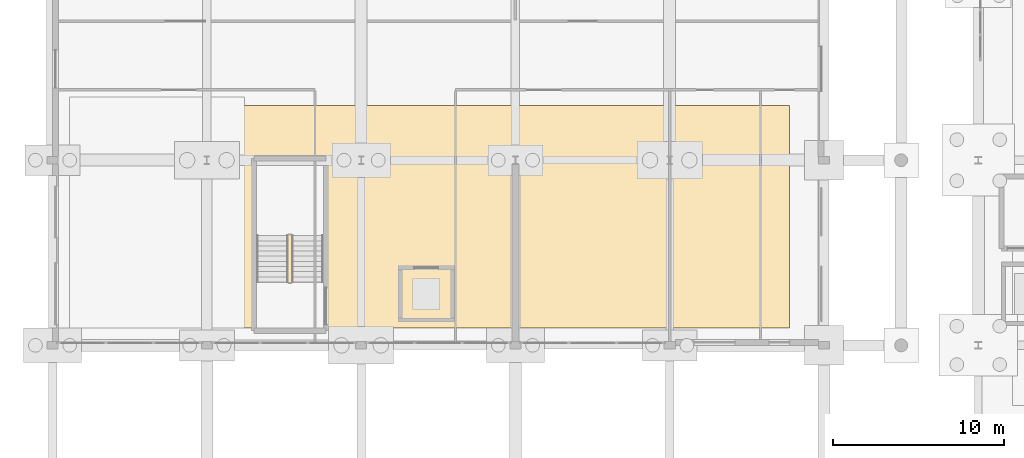
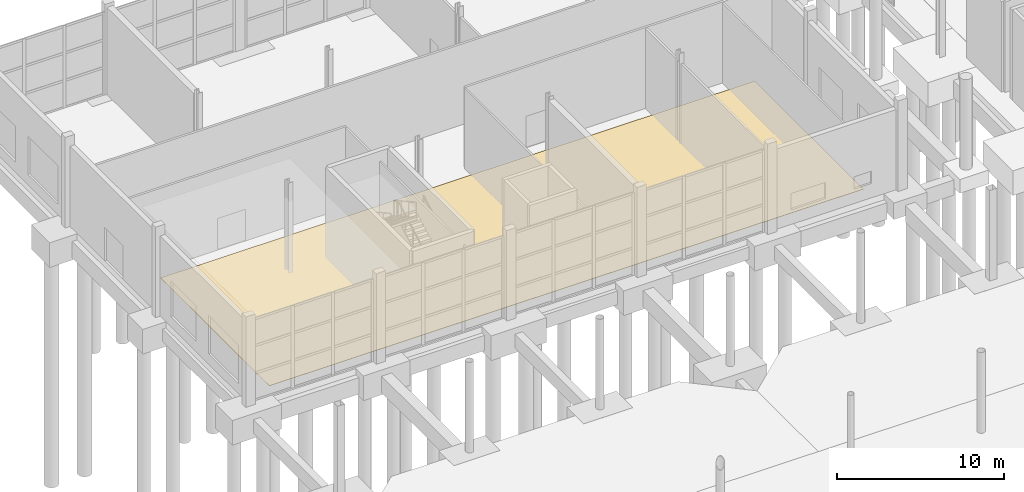
# One storey, part 107 of 115: 1 covering.
"""IFC4 building model written with IfcOpenShell, lengths in metres."""

from ifc_helpers import new_model, si_unit, direction, origin, place, context, subcontext, project, spatial, polyline, outline, extrude, material, layer, layer_set, type_object, element, save


model = new_model("IFC4")

# Units and contexts
model_context = context("Model", 3, precision=1e-05, world=origin(), true_north=direction((0.0, 1.0)))
body_context = subcontext(model_context, "Body", "Model", "MODEL_VIEW")
ifc_project = project(units=[si_unit("LENGTHUNIT", "METRE"), si_unit("AREAUNIT", "SQUARE_METRE"), si_unit("VOLUMEUNIT", "CUBIC_METRE"), si_unit("PLANEANGLEUNIT", "RADIAN"), si_unit("MASSUNIT", "GRAM", prefix="KILO")], contexts=[model_context])

# Site, building, storey
site_placement = place(None, origin())
site = spatial("IfcSite", under=ifc_project, at=site_placement, CompositionType="ELEMENT")
building_placement = place(site_placement, origin())
building = spatial("IfcBuilding", under=site, at=building_placement, Name="Tamarisk Ironworks Central Station", CompositionType="ELEMENT")
storey_placement = place(building_placement, origin())
storey = spatial("IfcBuildingStorey", under=building, at=storey_placement, Name="L00", CompositionType="ELEMENT", Elevation=0.0)

# Covering
ifc_material = material(Name="Granite tactile platform paving", Category="masonry")
ifc_layer = layer(ifc_material, 0.02490234375)
ifc_layer_set = layer_set([ifc_layer], Name="Granite tactile platform paving")
covering_type = type_object("IfcCoveringType", Name="COV-FLOOR-GR", PredefinedType="FLOORING", material=ifc_layer_set)
covering_placement = place(storey_placement, origin())
element("IfcCovering", 1, at=covering_placement, inside=storey, type_object=covering_type, Name="L00 granite/terrazzo floor finish 002", PredefinedType="FLOORING", context=body_context, shape_type="SweptSolid", body=[
    extrude(outline(polyline([(2.0, 91.0), (43.0, 91.0), (43.0, 104.0), (2.0, 104.0), (2.0, 91.0)])), origin(), (0.0, 0.0, 1.0), 0.02490234375),
])

save(model, "model.ifc")
